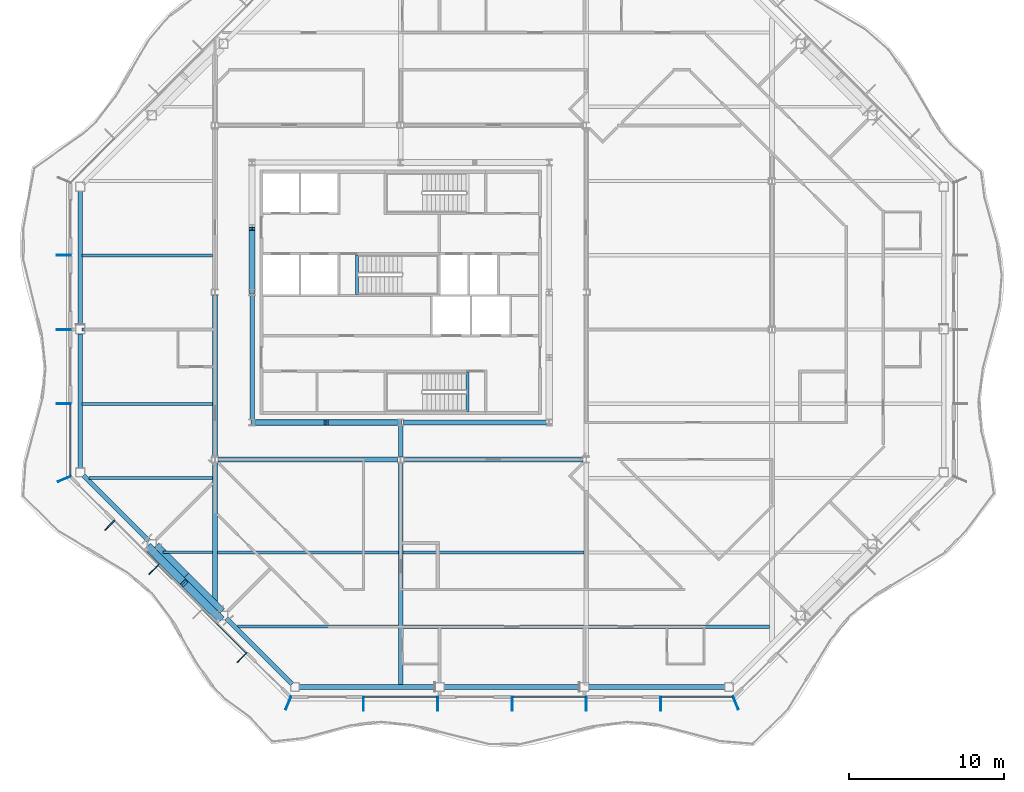
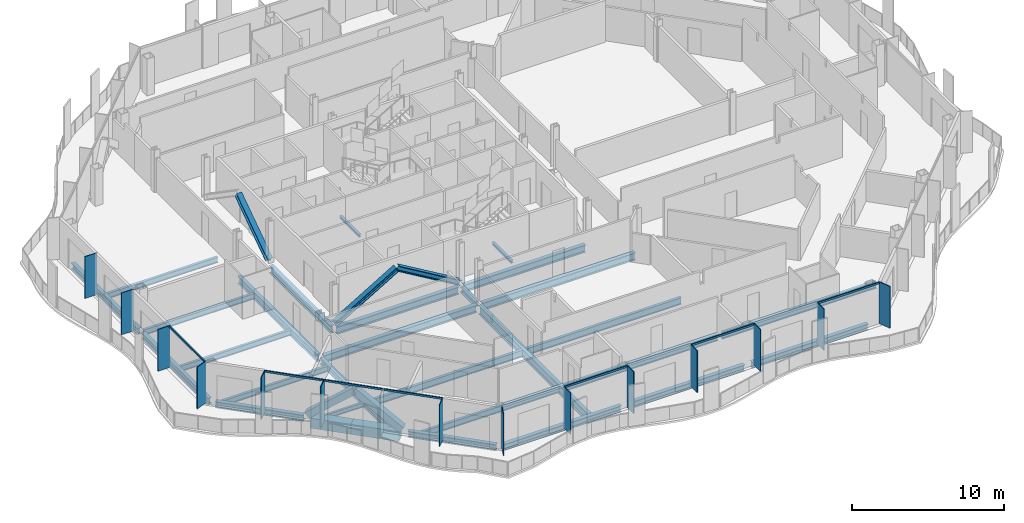
# One storey, part 3 of 19: 30 beams, 26 members, 4 elements without a shape of their own.
"""IFC4 building model written with IfcOpenShell, lengths in metres."""

from ifc_helpers import new_model, si_unit, direction, frame, origin, origin_2d, place, context, subcontext, project, spatial, rectangle, hollow_rectangle, i_section, extrude, material, material_profile, profile_set, type_object, element, aggregate, save


model = new_model("IFC4")

# Units and contexts
model_context = context("Model", 3, precision=1e-05, world=origin(), true_north=direction((0.0, 1.0)))
body_context = subcontext(model_context, "Body", "Model", "MODEL_VIEW")
ifc_project = project(units=[si_unit("LENGTHUNIT", "METRE"), si_unit("AREAUNIT", "SQUARE_METRE"), si_unit("VOLUMEUNIT", "CUBIC_METRE"), si_unit("PLANEANGLEUNIT", "RADIAN"), si_unit("MASSUNIT", "GRAM", prefix="KILO")], contexts=[model_context])

# Site, building, storey
site_placement = place(None, origin())
site = spatial("IfcSite", under=ifc_project, at=site_placement, CompositionType="ELEMENT")
building_placement = place(site_placement, origin())
building = spatial("IfcBuilding", under=site, at=building_placement, Name="Cairn Pilgrim Tower", CompositionType="ELEMENT")
storey_placement = place(building_placement, frame((0.0, 0.0, 201.0)))
storey = spatial("IfcBuildingStorey", under=building, at=storey_placement, Name="L51", CompositionType="ELEMENT", Elevation=201.0)

# Members
ifc_material_1 = material(Name="Structural steel S460M", Category="steel")
ifc_material_profile_1 = material_profile(ifc_material_1, hollow_rectangle(XDim=0.5, YDim=0.5, WallThickness=0.030029296875, at=origin_2d()), Name="BOX 500x500x30")
ifc_profile_set_1 = profile_set([ifc_material_profile_1], Name="Structural steel S460M")
member_type_1 = type_object("IfcMemberType", Name="BOX 500x500x30 BRACE", PredefinedType="BRACE", material=ifc_profile_set_1)
for number, where, z_axis, x_axis, name in (
    (1, (-9.043212890625, -14.097900390625, 0.14990234375), (0.551162314886, -0.558822295345, 0.619627101469), (0.711969557174, 0.702210331494, 0.0), "XB-SW2-SW3-1"),
    (2, (-4.497802734375, -18.643310546875, 0.14990234375), (-0.558863129775, 0.551144025773, 0.619606540502), (-0.702172509687, -0.712006858562, 0.0), "XB-SW2-SW3-2"),
):
    element("IfcMember", number, at=place(storey_placement, frame(where, z_axis=z_axis, x_axis=x_axis)), inside=storey, type_object=member_type_1, Name=name, PredefinedType="BRACE", context=body_context, shape_type="SweptSolid", body=[
        extrude(hollow_rectangle(XDim=0.5, YDim=0.5, WallThickness=0.030029296875, at=origin_2d()), origin(), (0.0, 0.0, 1.0), 4.111572265625),
    ])

# Beams
ifc_material_2 = material(Name="Structural steel S355J2", Category="steel")
ifc_material_profile_2 = material_profile(ifc_material_2, hollow_rectangle(XDim=0.699951171875, YDim=0.800048828125, WallThickness=0.0400390625, at=origin_2d()), Name="BOX 700x800x40")
ifc_profile_set_2 = profile_set([ifc_material_profile_2], Name="Structural steel S355J2")
beam_type_1 = type_object("IfcBeamType", Name="BOX 700x800x40 RING GIRDER", PredefinedType="SPANDREL", material=ifc_profile_set_2)
beam_1_placement = place(storey_placement, frame((-8.684814453125, -14.04248046875, -0.550048828125), z_axis=(0.707106781187, -0.707106781187, 0.0), x_axis=(0.707106781187, 0.707106781187, 0.0)))
element("IfcBeam", 3, at=beam_1_placement, inside=storey, type_object=beam_type_1, Name="RG2-SW2-SW3-1", PredefinedType="SPANDREL", context=body_context, shape_type="SweptSolid", body=[
    extrude(hollow_rectangle(XDim=0.699951171875, YDim=0.800048828125, WallThickness=0.0400390625, at=origin_2d()), origin(), (0.0, 0.0, 1.0), 2.734619140625),
])
beam_2_placement = place(storey_placement, frame((-6.751220703125, -15.97607421875, -0.550048828125), z_axis=(0.707106781187, -0.707106781187, 0.0), x_axis=(0.707106781187, 0.707106781187, 0.0)))
element("IfcBeam", 4, at=beam_2_placement, inside=storey, type_object=beam_type_1, Name="RG2-SW2-SW3-2", PredefinedType="SPANDREL", context=body_context, shape_type="SweptSolid", body=[
    extrude(hollow_rectangle(XDim=0.699951171875, YDim=0.800048828125, WallThickness=0.0400390625, at=origin_2d()), origin(), (0.0, 0.0, 1.0), 3.26513671875),
])

# Curtain wall, members
ifc_material_3 = material(Name="Aluminium alloy 6063-T6 bronze anodised with Bronze tinted laminated low-E glass 8+16+8.8", Category="aluminium")
curtain_wall_type_1 = type_object("IfcCurtainWallType", Name="TOWER STICK CURTAIN WALL NS", PredefinedType="NOTDEFINED", material=ifc_material_3)
curtain_wall_1_placement = place(storey_placement, origin())
curtain_wall_1 = element("IfcCurtainWall", 5, at=curtain_wall_1_placement, inside=storey, type_object=curtain_wall_type_1, Name="Tower Stick Curtain Wall Ns S", PredefinedType="NOTDEFINED")
ifc_material_4 = material(Name="Aluminium alloy 6063-T6 bronze anodised", Category="aluminium")
ifc_material_profile_3 = material_profile(ifc_material_4, rectangle(XDim=0.89990234375, YDim=0.06005859375, at=origin_2d()), Name="FIN MULLION 60x900 BRONZE")
ifc_profile_set_3 = profile_set([ifc_material_profile_3], Name="Aluminium alloy 6063-T6 bronze anodised")
member_type_2 = type_object("IfcMemberType", Name="FIN MULLION 60x900 BRONZE", PredefinedType="MULLION", material=ifc_profile_set_3)
member_1_placement = place(storey_placement, frame((-0.05712890625, -24.137939453125, 0.0), z_axis=(0.0, 0.0, 1.0), x_axis=(-0.382683432365, -0.923879532511, 0.0)))
member_1 = element("IfcMember", 6, at=member_1_placement, type_object=member_type_2, Name="Fin mullion S1", PredefinedType="MULLION", context=body_context, shape_type="SweptSolid", body=[
    extrude(rectangle(XDim=0.89990234375, YDim=0.06005859375, at=origin_2d()), origin(), (0.0, 0.0, 1.0), 3.35009765625),
])
member_2_placement = place(storey_placement, frame((4.800048828125, -24.169921875, 0.0), z_axis=(0.0, 0.0, 1.0), x_axis=(0.0, -1.0, 0.0)))
member_2 = element("IfcMember", 7, at=member_2_placement, type_object=member_type_2, Name="Fin mullion S2", PredefinedType="MULLION", context=body_context, shape_type="SweptSolid", body=[
    extrude(rectangle(XDim=0.89990234375, YDim=0.06005859375, at=origin_2d()), origin(), (0.0, 0.0, 1.0), 3.35009765625),
])
member_3_placement = place(storey_placement, frame((9.60009765625, -24.169921875, 0.0), z_axis=(0.0, 0.0, 1.0), x_axis=(0.0, -1.0, 0.0)))
member_3 = element("IfcMember", 8, at=member_3_placement, type_object=member_type_2, Name="Fin mullion S3", PredefinedType="MULLION", context=body_context, shape_type="SweptSolid", body=[
    extrude(rectangle(XDim=0.89990234375, YDim=0.06005859375, at=origin_2d()), origin(), (0.0, 0.0, 1.0), 3.35009765625),
])
member_4_placement = place(storey_placement, frame((14.39990234375, -24.169921875, 0.0), z_axis=(0.0, 0.0, 1.0), x_axis=(0.0, -1.0, 0.0)))
member_4 = element("IfcMember", 9, at=member_4_placement, type_object=member_type_2, Name="Fin mullion S4", PredefinedType="MULLION", context=body_context, shape_type="SweptSolid", body=[
    extrude(rectangle(XDim=0.89990234375, YDim=0.06005859375, at=origin_2d()), origin(), (0.0, 0.0, 1.0), 3.35009765625),
])
member_5_placement = place(storey_placement, frame((19.199951171875, -24.169921875, 0.0), z_axis=(0.0, 0.0, 1.0), x_axis=(0.0, -1.0, 0.0)))
member_5 = element("IfcMember", 10, at=member_5_placement, type_object=member_type_2, Name="Fin mullion S5", PredefinedType="MULLION", context=body_context, shape_type="SweptSolid", body=[
    extrude(rectangle(XDim=0.89990234375, YDim=0.06005859375, at=origin_2d()), origin(), (0.0, 0.0, 1.0), 3.35009765625),
])
member_6_placement = place(storey_placement, frame((24.0, -24.169921875, 0.0), z_axis=(0.0, 0.0, 1.0), x_axis=(0.0, -1.0, 0.0)))
member_6 = element("IfcMember", 11, at=member_6_placement, type_object=member_type_2, Name="Fin mullion S6", PredefinedType="MULLION", context=body_context, shape_type="SweptSolid", body=[
    extrude(rectangle(XDim=0.89990234375, YDim=0.06005859375, at=origin_2d()), origin(), (0.0, 0.0, 1.0), 3.35009765625),
])

# Curtain wall, member
curtain_wall_type_2 = type_object("IfcCurtainWallType", Name="CHAMFER CORNER CURTAIN WALL", PredefinedType="NOTDEFINED", material=ifc_material_3)
curtain_wall_2_placement = place(storey_placement, origin())
curtain_wall_2 = element("IfcCurtainWall", 12, at=curtain_wall_2_placement, inside=storey, type_object=curtain_wall_type_2, Name="Chamfer Corner Curtain Wall SE", PredefinedType="NOTDEFINED")
member_7_placement = place(storey_placement, frame((28.857177734375, -24.137939453125, 0.0), z_axis=(0.0, 0.0, 1.0), x_axis=(0.382683432365, -0.923879532511, 0.0)))
member_7 = element("IfcMember", 13, at=member_7_placement, type_object=member_type_2, Name="Fin mullion SE1", PredefinedType="MULLION", context=body_context, shape_type="SweptSolid", body=[
    extrude(rectangle(XDim=0.89990234375, YDim=0.06005859375, at=origin_2d()), origin(), (0.0, 0.0, 1.0), 3.35009765625),
])
aggregate(curtain_wall_2, [member_7])

# Curtain wall, members
curtain_wall_type_3 = type_object("IfcCurtainWallType", Name="TOWER STICK CURTAIN WALL EW", PredefinedType="NOTDEFINED", material=ifc_material_3)
curtain_wall_3_placement = place(storey_placement, origin())
curtain_wall_3 = element("IfcCurtainWall", 14, at=curtain_wall_3_placement, inside=storey, type_object=curtain_wall_type_3, Name="Tower Stick Curtain Wall Ew W", PredefinedType="NOTDEFINED")
member_8_placement = place(storey_placement, frame((-14.570068359375, 4.800048828125, 0.0), z_axis=(0.0, 0.0, 1.0), x_axis=(-1.0, 0.0, 0.0)))
member_8 = element("IfcMember", 15, at=member_8_placement, type_object=member_type_2, Name="Fin mullion W2", PredefinedType="MULLION", context=body_context, shape_type="SweptSolid", body=[
    extrude(rectangle(XDim=0.89990234375, YDim=0.06005859375, at=origin_2d()), origin(), (0.0, 0.0, 1.0), 3.35009765625),
])
member_9_placement = place(storey_placement, frame((-14.570068359375, 0.0, 0.0), z_axis=(0.0, 0.0, 1.0), x_axis=(-1.0, 0.0, 0.0)))
member_9 = element("IfcMember", 16, at=member_9_placement, type_object=member_type_2, Name="Fin mullion W3", PredefinedType="MULLION", context=body_context, shape_type="SweptSolid", body=[
    extrude(rectangle(XDim=0.89990234375, YDim=0.06005859375, at=origin_2d()), origin(), (0.0, 0.0, 1.0), 3.35009765625),
])
member_10_placement = place(storey_placement, frame((-14.570068359375, -4.800048828125, 0.0), z_axis=(0.0, 0.0, 1.0), x_axis=(-1.0, 0.0, 0.0)))
member_10 = element("IfcMember", 17, at=member_10_placement, type_object=member_type_2, Name="Fin mullion W4", PredefinedType="MULLION", context=body_context, shape_type="SweptSolid", body=[
    extrude(rectangle(XDim=0.89990234375, YDim=0.06005859375, at=origin_2d()), origin(), (0.0, 0.0, 1.0), 3.35009765625),
])

curtain_wall_4_placement = place(storey_placement, origin())
curtain_wall_4 = element("IfcCurtainWall", 18, at=curtain_wall_4_placement, inside=storey, type_object=curtain_wall_type_2, Name="Chamfer Corner Curtain Wall SW", PredefinedType="NOTDEFINED")
member_11_placement = place(storey_placement, frame((-14.5380859375, -9.6572265625, 0.0), z_axis=(0.0, 0.0, 1.0), x_axis=(-0.923879532511, -0.382683432365, 0.0)))
member_11 = element("IfcMember", 19, at=member_11_placement, type_object=member_type_2, Name="Fin mullion SW1", PredefinedType="MULLION", context=body_context, shape_type="SweptSolid", body=[
    extrude(rectangle(XDim=0.89990234375, YDim=0.06005859375, at=origin_2d()), origin(), (0.0, 0.0, 1.0), 3.35009765625),
])
member_12_placement = place(storey_placement, frame((-11.59619140625, -12.64404296875, 0.0), z_axis=(0.0, 0.0, 1.0), x_axis=(-0.707106781187, -0.707106781187, 0.0)))
member_12 = element("IfcMember", 20, at=member_12_placement, type_object=member_type_2, Name="Fin mullion SW2", PredefinedType="MULLION", context=body_context, shape_type="SweptSolid", body=[
    extrude(rectangle(XDim=0.89990234375, YDim=0.06005859375, at=origin_2d()), origin(), (0.0, 0.0, 1.0), 3.35009765625),
])
member_13_placement = place(storey_placement, frame((-8.74560546875, -15.494873046875, 0.0), z_axis=(0.0, 0.0, 1.0), x_axis=(-0.707106781187, -0.707106781187, 0.0)))
member_13 = element("IfcMember", 21, at=member_13_placement, type_object=member_type_2, Name="Fin mullion SW3", PredefinedType="MULLION", context=body_context, shape_type="SweptSolid", body=[
    extrude(rectangle(XDim=0.89990234375, YDim=0.06005859375, at=origin_2d()), origin(), (0.0, 0.0, 1.0), 3.35009765625),
])
member_14_placement = place(storey_placement, frame((-3.044189453125, -21.1962890625, 0.0), z_axis=(0.0, 0.0, 1.0), x_axis=(-0.707106781187, -0.707106781187, 0.0)))
member_14 = element("IfcMember", 22, at=member_14_placement, type_object=member_type_2, Name="Fin mullion SW5", PredefinedType="MULLION", context=body_context, shape_type="SweptSolid", body=[
    extrude(rectangle(XDim=0.89990234375, YDim=0.06005859375, at=origin_2d()), origin(), (0.0, 0.0, 1.0), 3.35009765625),
])

# Members
ifc_material_profile_4 = material_profile(ifc_material_2, i_section(OverallWidth=0.39794921875, OverallDepth=0.386962890625, WebThickness=0.02099609375, FlangeThickness=0.033203125, FilletRadius=0.014892578125, at=origin_2d()), Name="HD 400x262")
ifc_profile_set_4 = profile_set([ifc_material_profile_4], Name="Structural steel S355J2")
member_type_3 = type_object("IfcMemberType", Name="HD 400x262 BRACE", PredefinedType="BRACE", material=ifc_profile_set_4)
for number, where, z_axis, x_axis, name in (
    (23, (-2.359619140625, -6.0, 0.10009765625), (0.859679528061, 0.0, 0.510833739129), (0.0, 1.0, 0.0), "KB-1A"),
    (24, (7.15966796875, -6.0, 0.10009765625), (-0.859679528061, 0.0, 0.510833739129), (0.0, -1.0, 0.0), "KB-1B"),
):
    element("IfcMember", number, at=place(storey_placement, frame(where, z_axis=z_axis, x_axis=x_axis)), inside=storey, type_object=member_type_3, Name=name, PredefinedType="BRACE", context=body_context, shape_type="SweptSolid", body=[
        extrude(i_section(OverallWidth=0.39794921875, OverallDepth=0.386962890625, WebThickness=0.02099609375, FlangeThickness=0.033203125, FilletRadius=0.014892578125, at=origin_2d()), origin(), (0.0, 0.0, 1.0), 5.487548828125),
    ])
member_15_placement = place(storey_placement, frame((-2.39990234375, 2.4404296875, 0.10009765625), z_axis=(0.0, 0.824402835875, 0.566003501934), x_axis=(-1.0, 0.0, 0.0)))
element("IfcMember", 25, at=member_15_placement, inside=storey, type_object=member_type_3, Name="KB-4B", PredefinedType="BRACE", context=body_context, shape_type="SweptSolid", body=[
    extrude(i_section(OverallWidth=0.39794921875, OverallDepth=0.386962890625, WebThickness=0.02099609375, FlangeThickness=0.033203125, FilletRadius=0.014892578125, at=origin_2d()), origin(), (0.0, 0.0, 1.0), 4.951904296875),
])

# Beams
ifc_material_profile_5 = material_profile(ifc_material_2, i_section(OverallWidth=0.300048828125, OverallDepth=0.39990234375, WebThickness=0.013427734375, FlangeThickness=0.02392578125, FilletRadius=0.027099609375, at=origin_2d()), Name="HEB 400")
ifc_profile_set_5 = profile_set([ifc_material_profile_5], Name="Structural steel S355J2")
beam_type_2 = type_object("IfcBeamType", Name="HEB 400 GIRDER", PredefinedType="BEAM", material=ifc_profile_set_5)
beam_3_placement = place(storey_placement, frame((7.199951171875, -8.200439453125, -0.35009765625), z_axis=(0.0, 1.0, 0.0), x_axis=(-1.0, 0.0, 0.0)))
element("IfcBeam", 26, at=beam_3_placement, inside=storey, type_object=beam_type_2, Name="PG3-E1", PredefinedType="BEAM", context=body_context, shape_type="SweptSolid", body=[
    extrude(i_section(OverallWidth=0.300048828125, OverallDepth=0.39990234375, WebThickness=0.013427734375, FlangeThickness=0.02392578125, FilletRadius=0.027099609375, at=origin_2d()), origin(), (0.0, 0.0, 1.0), 1.99853515625),
])
ifc_material_profile_6 = material_profile(ifc_material_2, i_section(OverallWidth=0.300048828125, OverallDepth=0.5, WebThickness=0.014404296875, FlangeThickness=0.028076171875, FilletRadius=0.027099609375, at=origin_2d()), Name="HEB 500")
ifc_profile_set_6 = profile_set([ifc_material_profile_6], Name="Structural steel S355J2")
beam_type_3 = type_object("IfcBeamType", Name="HEB 500 GIRDER", PredefinedType="BEAM", material=ifc_profile_set_6)
beam_4_placement = place(storey_placement, frame((-4.800048828125, -17.7451171875, -0.39990234375), z_axis=(0.0, 1.0, 0.0), x_axis=(-1.0, 0.0, 0.0)))
element("IfcBeam", 27, at=beam_4_placement, inside=storey, type_object=beam_type_3, Name="PG2-1", PredefinedType="BEAM", context=body_context, shape_type="SweptSolid", body=[
    extrude(i_section(OverallWidth=0.300048828125, OverallDepth=0.5, WebThickness=0.014404296875, FlangeThickness=0.028076171875, FilletRadius=0.027099609375, at=origin_2d()), origin(), (0.0, 0.0, 1.0), 9.1455078125),
])
ifc_material_profile_7 = material_profile(ifc_material_2, i_section(OverallWidth=0.300048828125, OverallDepth=0.5, WebThickness=0.014404296875, FlangeThickness=0.028076171875, FilletRadius=0.027099609375, at=origin_2d()), Name="HEB 500")
ifc_profile_set_7 = profile_set([ifc_material_profile_7], Name="Structural steel S355J2")
beam_type_4 = type_object("IfcBeamType", Name="HEB 500 RING GIRDER", PredefinedType="SPANDREL", material=ifc_profile_set_7)
beam_5_placement = place(storey_placement, frame((0.642822265625, -23.10009765625, -0.39990234375), z_axis=(1.0, 0.0, 0.0), x_axis=(0.0, 1.0, 0.0)))
element("IfcBeam", 28, at=beam_5_placement, inside=storey, type_object=beam_type_4, Name="RG2-S1-S2", PredefinedType="SPANDREL", context=body_context, shape_type="SweptSolid", body=[
    extrude(i_section(OverallWidth=0.300048828125, OverallDepth=0.5, WebThickness=0.014404296875, FlangeThickness=0.028076171875, FilletRadius=0.027099609375, at=origin_2d()), origin(), (0.0, 0.0, 1.0), 8.8115234375),
])
beam_6_placement = place(storey_placement, frame((9.994384765625, -23.10009765625, -0.39990234375), z_axis=(1.0, 0.0, 0.0), x_axis=(0.0, 1.0, 0.0)))
element("IfcBeam", 29, at=beam_6_placement, inside=storey, type_object=beam_type_4, Name="RG2-S2-S3", PredefinedType="SPANDREL", context=body_context, shape_type="SweptSolid", body=[
    extrude(i_section(OverallWidth=0.300048828125, OverallDepth=0.5, WebThickness=0.014404296875, FlangeThickness=0.028076171875, FilletRadius=0.027099609375, at=origin_2d()), origin(), (0.0, 0.0, 1.0), 8.811279296875),
])
beam_7_placement = place(storey_placement, frame((19.345703125, -23.10009765625, -0.39990234375), z_axis=(1.0, 0.0, 0.0), x_axis=(0.0, 1.0, 0.0)))
element("IfcBeam", 30, at=beam_7_placement, inside=storey, type_object=beam_type_4, Name="RG2-S3-SE1", PredefinedType="SPANDREL", context=body_context, shape_type="SweptSolid", body=[
    extrude(i_section(OverallWidth=0.300048828125, OverallDepth=0.5, WebThickness=0.014404296875, FlangeThickness=0.028076171875, FilletRadius=0.027099609375, at=origin_2d()), origin(), (0.0, 0.0, 1.0), 8.8115234375),
])
for number, where, z_axis, x_axis, name in (
    (31, (-13.5, 8.957275390625, -0.39990234375), (0.0, -1.0, 0.0), (1.0, 0.0, 0.0), "RG2-W1-W2"),
    (32, (-13.5, -0.27001953125, -0.39990234375), (0.0, -1.0, 0.0), (1.0, 0.0, 0.0), "RG2-W2-SW1"),
):
    element("IfcBeam", number, at=place(storey_placement, frame(where, z_axis=z_axis, x_axis=x_axis)), inside=storey, type_object=beam_type_4, Name=name, PredefinedType="SPANDREL", context=body_context, shape_type="SweptSolid", body=[
        extrude(i_section(OverallWidth=0.300048828125, OverallDepth=0.5, WebThickness=0.014404296875, FlangeThickness=0.028076171875, FilletRadius=0.027099609375, at=origin_2d()), origin(), (0.0, 0.0, 1.0), 8.687255859375),
    ])
for number, where, z_axis, x_axis, name in (
    (33, (-13.30908203125, -9.418212890625, -0.39990234375), (0.707106781187, -0.707106781187, 0.0), (0.707106781187, 0.707106781187, 0.0), "RG2-SW1-SW2"),
    (34, (-4.060546875, -18.666748046875, -0.39990234375), (0.707106781187, -0.707106781187, 0.0), (0.707106781187, 0.707106781187, 0.0), "RG2-SW3-S1"),
):
    element("IfcBeam", number, at=place(storey_placement, frame(where, z_axis=z_axis, x_axis=x_axis)), inside=storey, type_object=beam_type_4, Name=name, PredefinedType="SPANDREL", context=body_context, shape_type="SweptSolid", body=[
        extrude(i_section(OverallWidth=0.300048828125, OverallDepth=0.5, WebThickness=0.014404296875, FlangeThickness=0.028076171875, FilletRadius=0.027099609375, at=origin_2d()), origin(), (0.0, 0.0, 1.0), 5.999755859375),
    ])
ifc_material_profile_8 = material_profile(ifc_material_2, i_section(OverallWidth=0.300048828125, OverallDepth=0.60009765625, WebThickness=0.015380859375, FlangeThickness=0.030029296875, FilletRadius=0.027099609375, at=origin_2d()), Name="HEB 600")
ifc_profile_set_8 = profile_set([ifc_material_profile_8], Name="Structural steel S355J2")
beam_type_5 = type_object("IfcBeamType", Name="HEB 600 CORE BEAM", PredefinedType="BEAM", material=ifc_profile_set_8)
beam_8_placement = place(storey_placement, frame((-2.21826171875, -6.0, -0.449951171875), z_axis=(1.0, 0.0, 0.0), x_axis=(0.0, 1.0, 0.0)))
element("IfcBeam", 35, at=beam_8_placement, inside=storey, type_object=beam_type_5, Name="CB-1", PredefinedType="BEAM", context=body_context, shape_type="SweptSolid", body=[
    extrude(i_section(OverallWidth=0.300048828125, OverallDepth=0.60009765625, WebThickness=0.015380859375, FlangeThickness=0.030029296875, FilletRadius=0.027099609375, at=origin_2d()), origin(), (0.0, 0.0, 1.0), 9.236572265625),
])
beam_9_placement = place(storey_placement, frame((7.3818359375, -6.0, -0.449951171875), z_axis=(1.0, 0.0, 0.0), x_axis=(0.0, 1.0, 0.0)))
element("IfcBeam", 36, at=beam_9_placement, inside=storey, type_object=beam_type_5, Name="CB-2", PredefinedType="BEAM", context=body_context, shape_type="SweptSolid", body=[
    extrude(i_section(OverallWidth=0.300048828125, OverallDepth=0.60009765625, WebThickness=0.015380859375, FlangeThickness=0.030029296875, FilletRadius=0.027099609375, at=origin_2d()), origin(), (0.0, 0.0, 1.0), 9.236328125),
])
beam_10_placement = place(storey_placement, frame((-2.39990234375, 2.21826171875, -0.449951171875), z_axis=(0.0, -1.0, 0.0), x_axis=(1.0, 0.0, 0.0)))
element("IfcBeam", 37, at=beam_10_placement, inside=storey, type_object=beam_type_5, Name="CB-8", PredefinedType="BEAM", context=body_context, shape_type="SweptSolid", body=[
    extrude(i_section(OverallWidth=0.300048828125, OverallDepth=0.60009765625, WebThickness=0.015380859375, FlangeThickness=0.030029296875, FilletRadius=0.027099609375, at=origin_2d()), origin(), (0.0, 0.0, 1.0), 8.036376953125),
])
ifc_material_profile_9 = material_profile(ifc_material_2, i_section(OverallWidth=0.300048828125, OverallDepth=0.60009765625, WebThickness=0.015380859375, FlangeThickness=0.030029296875, FilletRadius=0.027099609375, at=origin_2d()), Name="HEB 600")
ifc_profile_set_9 = profile_set([ifc_material_profile_9], Name="Structural steel S355J2")
beam_type_6 = type_object("IfcBeamType", Name="HEB 600 GIRDER", PredefinedType="BEAM", material=ifc_profile_set_9)
beam_11_placement = place(storey_placement, frame((-4.800048828125, -8.200439453125, -0.449951171875), z_axis=(0.0, 1.0, 0.0), x_axis=(-1.0, 0.0, 0.0)))
element("IfcBeam", 38, at=beam_11_placement, inside=storey, type_object=beam_type_6, Name="PG2-2", PredefinedType="BEAM", context=body_context, shape_type="SweptSolid", body=[
    extrude(i_section(OverallWidth=0.300048828125, OverallDepth=0.60009765625, WebThickness=0.015380859375, FlangeThickness=0.030029296875, FilletRadius=0.027099609375, at=origin_2d()), origin(), (0.0, 0.0, 1.0), 10.40087890625),
])
ifc_material_profile_10 = material_profile(ifc_material_2, i_section(OverallWidth=0.300048828125, OverallDepth=0.60009765625, WebThickness=0.015380859375, FlangeThickness=0.030029296875, FilletRadius=0.027099609375, at=origin_2d()), Name="HEB 600")
ifc_profile_set_10 = profile_set([ifc_material_profile_10], Name="Structural steel S355J2")
beam_type_7 = type_object("IfcBeamType", Name="HEB 600 INNER GIRDER", PredefinedType="BEAM", material=ifc_profile_set_10)
for number, where, z_axis, x_axis, name in (
    (39, (-4.6005859375, -8.39990234375, -0.449951171875), (1.0, 0.0, 0.0), (0.0, 1.0, 0.0), "IG1-1"),
    (40, (7.3994140625, -8.39990234375, -0.449951171875), (1.0, 0.0, 0.0), (0.0, 1.0, 0.0), "IG1-2"),
):
    element("IfcBeam", number, at=place(storey_placement, frame(where, z_axis=z_axis, x_axis=x_axis)), inside=storey, type_object=beam_type_7, Name=name, PredefinedType="BEAM", context=body_context, shape_type="SweptSolid", body=[
        extrude(i_section(OverallWidth=0.300048828125, OverallDepth=0.60009765625, WebThickness=0.015380859375, FlangeThickness=0.030029296875, FilletRadius=0.027099609375, at=origin_2d()), origin(), (0.0, 0.0, 1.0), 11.60107421875),
    ])
ifc_material_profile_11 = material_profile(ifc_material_2, i_section(OverallWidth=0.300048828125, OverallDepth=0.699951171875, WebThickness=0.01708984375, FlangeThickness=0.031982421875, FilletRadius=0.027099609375, at=origin_2d()), Name="HEB 700")
ifc_profile_set_11 = profile_set([ifc_material_profile_11], Name="Structural steel S355J2")
beam_type_8 = type_object("IfcBeamType", Name="HEB 700 GIRDER", PredefinedType="BEAM", material=ifc_profile_set_11)
beam_12_placement = place(storey_placement, frame((7.199951171875, -22.97998046875, -0.5), z_axis=(0.0, 1.0, 0.0), x_axis=(-1.0, 0.0, 0.0)))
element("IfcBeam", 41, at=beam_12_placement, inside=storey, type_object=beam_type_8, Name="PG3-1", PredefinedType="BEAM", context=body_context, shape_type="SweptSolid", body=[
    extrude(i_section(OverallWidth=0.300048828125, OverallDepth=0.699951171875, WebThickness=0.01708984375, FlangeThickness=0.031982421875, FilletRadius=0.027099609375, at=origin_2d()), origin(), (0.0, 0.0, 1.0), 14.38037109375),
])
ifc_material_profile_12 = material_profile(ifc_material_2, i_section(OverallWidth=0.169921875, OverallDepth=0.360107421875, WebThickness=0.008056640625, FlangeThickness=0.0126953125, FilletRadius=0.01806640625, at=origin_2d()), Name="IPE 360")
ifc_profile_set_12 = profile_set([ifc_material_profile_12], Name="Structural steel S355J2")
beam_type_9 = type_object("IfcBeamType", Name="IPE 360 SECONDARY BEAM", PredefinedType="JOIST", material=ifc_profile_set_12)
beam_13_placement = place(storey_placement, frame((-8.14501953125, -14.39990234375, -0.330078125), z_axis=(1.0, 0.0, 0.0), x_axis=(0.0, 1.0, 0.0)))
element("IfcBeam", 42, at=beam_13_placement, inside=storey, type_object=beam_type_9, Name="SB2-1", PredefinedType="JOIST", context=body_context, shape_type="SweptSolid", body=[
    extrude(i_section(OverallWidth=0.169921875, OverallDepth=0.360107421875, WebThickness=0.008056640625, FlangeThickness=0.0126953125, FilletRadius=0.01806640625, at=origin_2d()), origin(), (0.0, 0.0, 1.0), 3.195068359375),
])
ifc_material_profile_13 = material_profile(ifc_material_2, i_section(OverallWidth=0.18994140625, OverallDepth=0.449951171875, WebThickness=0.009521484375, FlangeThickness=0.0146484375, FilletRadius=0.02099609375, at=origin_2d()), Name="IPE 450")
ifc_profile_set_13 = profile_set([ifc_material_profile_13], Name="Structural steel S355J2")
beam_type_10 = type_object("IfcBeamType", Name="IPE 450 SECONDARY BEAM", PredefinedType="JOIST", material=ifc_profile_set_13)
beam_14_placement = place(storey_placement, frame((-12.945068359375, -9.60009765625, -0.375), z_axis=(1.0, 0.0, 0.0), x_axis=(0.0, 1.0, 0.0)))
element("IfcBeam", 43, at=beam_14_placement, inside=storey, type_object=beam_type_10, Name="SB3-1", PredefinedType="JOIST", context=body_context, shape_type="SweptSolid", body=[
    extrude(i_section(OverallWidth=0.18994140625, OverallDepth=0.449951171875, WebThickness=0.009521484375, FlangeThickness=0.0146484375, FilletRadius=0.02099609375, at=origin_2d()), origin(), (0.0, 0.0, 1.0), 7.9951171875),
])
for number, where, z_axis, x_axis, name in (
    (44, (-13.3798828125, -4.800048828125, -0.375), (1.0, 0.0, 0.0), (0.0, 1.0, 0.0), "SB4-1"),
    (45, (-13.3798828125, 0.0, -0.375), (1.0, 0.0, 0.0), (0.0, 1.0, 0.0), "SB5-1"),
    (46, (-13.3798828125, 4.800048828125, -0.375), (1.0, 0.0, 0.0), (0.0, 1.0, 0.0), "SB6-1"),
):
    element("IfcBeam", number, at=place(storey_placement, frame(where, z_axis=z_axis, x_axis=x_axis)), inside=storey, type_object=beam_type_10, Name=name, PredefinedType="JOIST", context=body_context, shape_type="SweptSolid", body=[
        extrude(i_section(OverallWidth=0.18994140625, OverallDepth=0.449951171875, WebThickness=0.009521484375, FlangeThickness=0.0146484375, FilletRadius=0.02099609375, at=origin_2d()), origin(), (0.0, 0.0, 1.0), 8.429931640625),
    ])
ifc_material_profile_14 = material_profile(ifc_material_2, i_section(OverallWidth=0.199951171875, OverallDepth=0.5, WebThickness=0.01025390625, FlangeThickness=0.01611328125, FilletRadius=0.02099609375, at=origin_2d()), Name="IPE 500")
ifc_profile_set_14 = profile_set([ifc_material_profile_14], Name="Structural steel S355J2")
beam_type_11 = type_object("IfcBeamType", Name="IPE 500 SECONDARY BEAM", PredefinedType="JOIST", material=ifc_profile_set_14)
beam_15_placement = place(storey_placement, frame((-3.34521484375, -19.199951171875, -0.39990234375), z_axis=(1.0, 0.0, 0.0), x_axis=(0.0, 1.0, 0.0)))
element("IfcBeam", 47, at=beam_15_placement, inside=storey, type_object=beam_type_11, Name="SB1-1", PredefinedType="JOIST", context=body_context, shape_type="SweptSolid", body=[
    extrude(i_section(OverallWidth=0.199951171875, OverallDepth=0.5, WebThickness=0.01025390625, FlangeThickness=0.01611328125, FilletRadius=0.02099609375, at=origin_2d()), origin(), (0.0, 0.0, 1.0), 10.395263671875),
])
ifc_material_profile_15 = material_profile(ifc_material_2, i_section(OverallWidth=0.2099609375, OverallDepth=0.550048828125, WebThickness=0.010986328125, FlangeThickness=0.01708984375, FilletRadius=0.02392578125, at=origin_2d()), Name="IPE 550")
ifc_profile_set_15 = profile_set([ifc_material_profile_15], Name="Structural steel S355J2")
beam_type_12 = type_object("IfcBeamType", Name="IPE 550 SECONDARY BEAM", PredefinedType="JOIST", material=ifc_profile_set_15)
for number, where, z_axis, x_axis, name in (
    (48, (7.35009765625, -19.199951171875, -0.425048828125), (1.0, 0.0, 0.0), (0.0, 1.0, 0.0), "SB1-2"),
    (49, (19.35009765625, -19.199951171875, -0.425048828125), (1.0, 0.0, 0.0), (0.0, 1.0, 0.0), "SB1-3"),
    (50, (-4.64990234375, -14.39990234375, -0.425048828125), (1.0, 0.0, 0.0), (0.0, 1.0, 0.0), "SB2-2"),
    (51, (7.35009765625, -14.39990234375, -0.425048828125), (1.0, 0.0, 0.0), (0.0, 1.0, 0.0), "SB2-3"),
):
    element("IfcBeam", number, at=place(storey_placement, frame(where, z_axis=z_axis, x_axis=x_axis)), inside=storey, type_object=beam_type_12, Name=name, PredefinedType="JOIST", context=body_context, shape_type="SweptSolid", body=[
        extrude(i_section(OverallWidth=0.2099609375, OverallDepth=0.550048828125, WebThickness=0.010986328125, FlangeThickness=0.01708984375, FilletRadius=0.02392578125, at=origin_2d()), origin(), (0.0, 0.0, 1.0), 11.699951171875),
    ])
ifc_material_profile_16 = material_profile(ifc_material_2, i_section(OverallWidth=0.199951171875, OverallDepth=0.199951171875, WebThickness=0.009033203125, FlangeThickness=0.014892578125, FilletRadius=0.01806640625, at=origin_2d()), Name="HE 200 B")
ifc_profile_set_16 = profile_set([ifc_material_profile_16], Name="Structural steel S355J2")
beam_type_13 = type_object("IfcBeamType", Name="STAIR LANDING BEAM HE 200 B", PredefinedType="BEAM", material=ifc_profile_set_16)
beam_16_placement = place(storey_placement, frame((11.5244140625, -2.77490234375, -0.25), z_axis=(0.0, -1.0, 0.0), x_axis=(1.0, 0.0, 0.0)))
element("IfcBeam", 52, at=beam_16_placement, inside=storey, type_object=beam_type_13, Name="STAIR LANDING BEAM LD-HE200B", PredefinedType="BEAM", context=body_context, shape_type="SweptSolid", body=[
    extrude(i_section(OverallWidth=0.199951171875, OverallDepth=0.199951171875, WebThickness=0.009033203125, FlangeThickness=0.014892578125, FilletRadius=0.01806640625, at=origin_2d()), origin(), (0.0, 0.0, 1.0), 2.525146484375),
])
beam_17_placement = place(storey_placement, frame((4.37548828125, 2.27490234375, -0.25), z_axis=(0.0, 1.0, 0.0), x_axis=(-1.0, 0.0, 0.0)))
element("IfcBeam", 53, at=beam_17_placement, inside=storey, type_object=beam_type_13, Name="STAIR LANDING BEAM LD-HE200B", PredefinedType="BEAM", context=body_context, shape_type="SweptSolid", body=[
    extrude(i_section(OverallWidth=0.199951171875, OverallDepth=0.199951171875, WebThickness=0.009033203125, FlangeThickness=0.014892578125, FilletRadius=0.01806640625, at=origin_2d()), origin(), (0.0, 0.0, 1.0), 2.550048828125),
])

# Member
ifc_material_profile_17 = material_profile(ifc_material_4, rectangle(XDim=0.080078125, YDim=0.14990234375, at=origin_2d()), Name="TRANSOM 80x150 BRONZE")
ifc_profile_set_17 = profile_set([ifc_material_profile_17], Name="Aluminium alloy 6063-T6 bronze anodised")
member_type_4 = type_object("IfcMemberType", Name="TRANSOM 80x150 BRONZE", PredefinedType="USERDEFINED", material=ifc_profile_set_17)
member_16_placement = place(storey_placement, frame((4.830078125, -23.75, 3.27490234375), z_axis=(1.0, 0.0, 0.0), x_axis=(0.0, 1.0, 0.0)))
member_16 = element("IfcMember", 54, at=member_16_placement, type_object=member_type_4, Name="Transom S2", ObjectType="TRANSOM", PredefinedType="USERDEFINED", context=body_context, shape_type="SweptSolid", body=[
    extrude(rectangle(XDim=0.080078125, YDim=0.14990234375, at=origin_2d()), origin(), (0.0, 0.0, 1.0), 4.739990234375),
])

member_17_placement = place(storey_placement, frame((14.429931640625, -23.75, 3.27490234375), z_axis=(1.0, 0.0, 0.0), x_axis=(0.0, 1.0, 0.0)))
member_17 = element("IfcMember", 55, at=member_17_placement, type_object=member_type_4, Name="Transom S4", ObjectType="TRANSOM", PredefinedType="USERDEFINED", context=body_context, shape_type="SweptSolid", body=[
    extrude(rectangle(XDim=0.080078125, YDim=0.14990234375, at=origin_2d()), origin(), (0.0, 0.0, 1.0), 4.739990234375),
])

member_18_placement = place(storey_placement, frame((24.030029296875, -23.75, 3.27490234375), z_axis=(1.0, 0.0, 0.0), x_axis=(0.0, 1.0, 0.0)))
member_18 = element("IfcMember", 56, at=member_18_placement, type_object=member_type_4, Name="Transom S6", ObjectType="TRANSOM", PredefinedType="USERDEFINED", context=body_context, shape_type="SweptSolid", body=[
    extrude(rectangle(XDim=0.080078125, YDim=0.14990234375, at=origin_2d()), origin(), (0.0, 0.0, 1.0), 4.62646484375),
])

aggregate(curtain_wall_1, [member_1, member_2, member_3, member_4, member_5, member_6, member_16, member_17, member_18])

member_19_placement = place(storey_placement, frame((-14.14990234375, -4.830078125, 3.27490234375), z_axis=(0.0, -1.0, 0.0), x_axis=(1.0, 0.0, 0.0)))
member_19 = element("IfcMember", 57, at=member_19_placement, type_object=member_type_4, Name="Transom W4", ObjectType="TRANSOM", PredefinedType="USERDEFINED", context=body_context, shape_type="SweptSolid", body=[
    extrude(rectangle(XDim=0.080078125, YDim=0.14990234375, at=origin_2d()), origin(), (0.0, 0.0, 1.0), 4.62646484375),
])

aggregate(curtain_wall_3, [member_8, member_9, member_10, member_19])

member_20_placement = place(storey_placement, frame((-11.278076171875, -12.368408203125, 3.27490234375), z_axis=(0.707106781187, -0.707106781187, 0.0), x_axis=(0.707106781187, 0.707106781187, 0.0)))
member_20 = element("IfcMember", 58, at=member_20_placement, type_object=member_type_4, Name="Transom SW2", ObjectType="TRANSOM", PredefinedType="USERDEFINED", context=body_context, shape_type="SweptSolid", body=[
    extrude(rectangle(XDim=0.080078125, YDim=0.14990234375, at=origin_2d()), origin(), (0.0, 0.0, 1.0), 3.9716796875),
])

member_21_placement = place(storey_placement, frame((-8.42724609375, -15.218994140625, 3.27490234375), z_axis=(0.707076043427, -0.70713751761, 0.0), x_axis=(0.70713751761, 0.707076043427, 0.0)))
member_21 = element("IfcMember", 59, at=member_21_placement, type_object=member_type_4, Name="Transom SW3", ObjectType="TRANSOM", PredefinedType="USERDEFINED", context=body_context, shape_type="SweptSolid", body=[
    extrude(rectangle(XDim=0.080078125, YDim=0.14990234375, at=origin_2d()), origin(), (0.0, 0.0, 1.0), 3.971435546875),
])

member_22_placement = place(storey_placement, frame((-5.57666015625, -18.06982421875, 3.27490234375), z_axis=(0.707106781187, -0.707106781187, 0.0), x_axis=(0.707106781187, 0.707106781187, 0.0)))
member_22 = element("IfcMember", 60, at=member_22_placement, type_object=member_type_4, Name="Transom SW4", ObjectType="TRANSOM", PredefinedType="USERDEFINED", context=body_context, shape_type="SweptSolid", body=[
    extrude(rectangle(XDim=0.080078125, YDim=0.14990234375, at=origin_2d()), origin(), (0.0, 0.0, 1.0), 3.9716796875),
])

aggregate(curtain_wall_4, [member_11, member_12, member_13, member_14, member_20, member_21, member_22])

save(model, "model.ifc")
